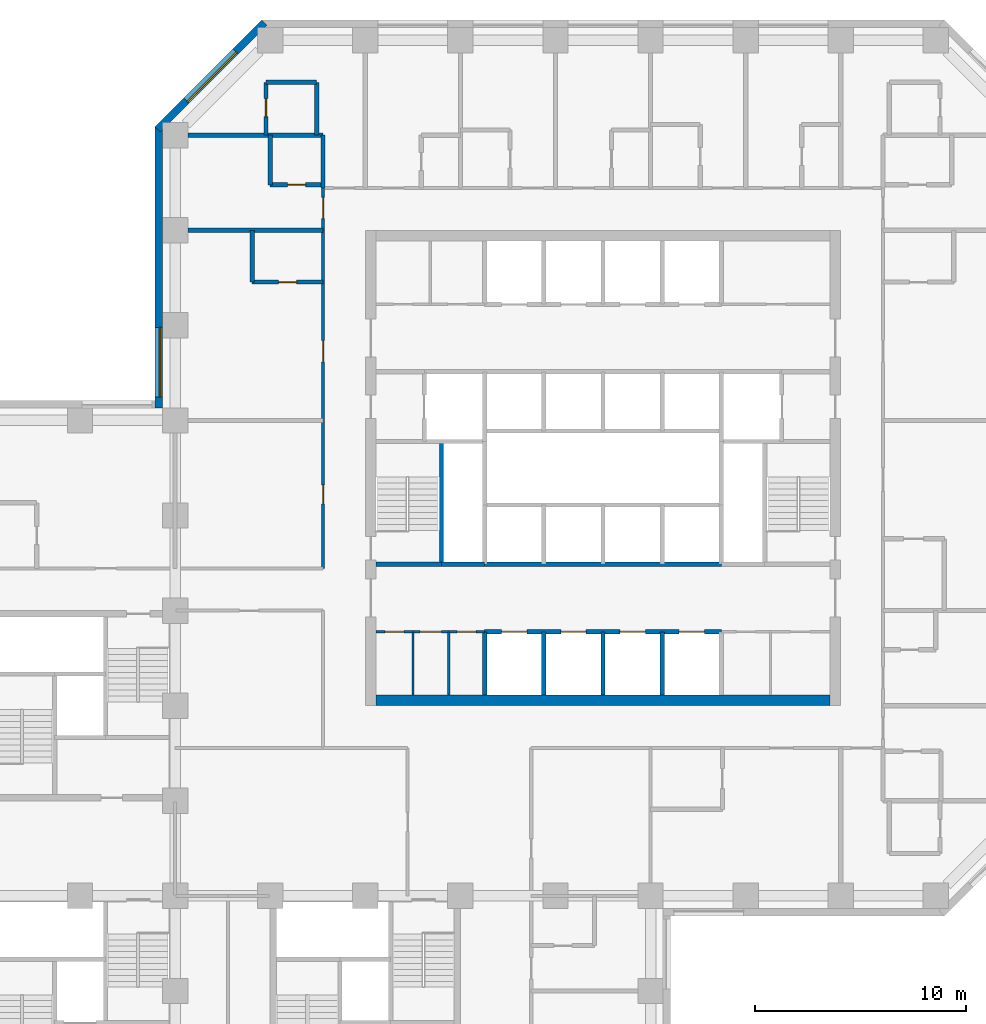
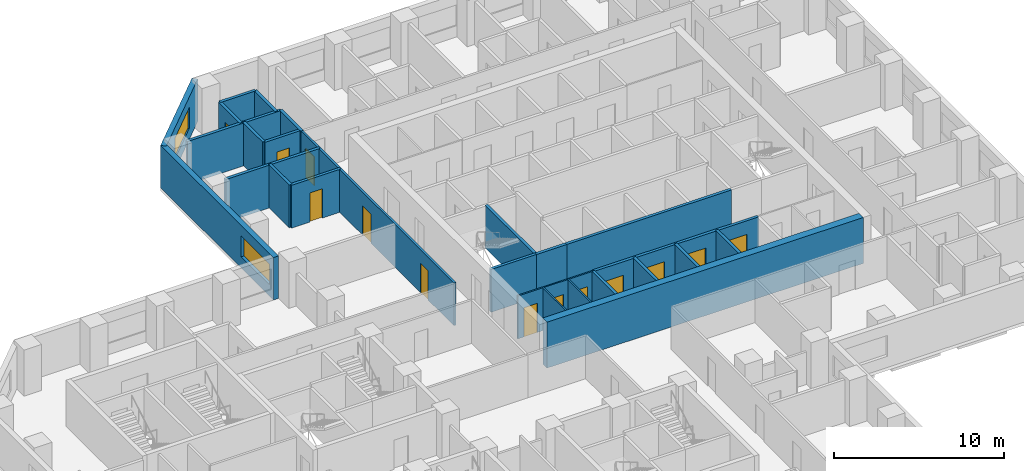
# One storey, part 7 of 12: 26 walls, 13 doors, 2 windows, 15 openings.
"""IFC4 building model written with IfcOpenShell, lengths in metres."""

from ifc_helpers import new_model, si_unit, direction, frame, frame_2d, origin, place, context, subcontext, project, spatial, rectangle, extrude, material, layer, layer_set, constituent, constituent_set, type_object, element, fill, save


model = new_model("IFC4")

# Units and contexts
model_context = context("Model", 3, precision=1e-05, world=origin(), true_north=direction((0.0, 1.0)))
body_context = subcontext(model_context, "Body", "Model", "MODEL_VIEW")
ifc_project = project(units=[si_unit("LENGTHUNIT", "METRE"), si_unit("AREAUNIT", "SQUARE_METRE"), si_unit("VOLUMEUNIT", "CUBIC_METRE"), si_unit("PLANEANGLEUNIT", "RADIAN"), si_unit("MASSUNIT", "GRAM", prefix="KILO")], contexts=[model_context])

# Site, building, storey
site_placement = place(None, origin())
site = spatial("IfcSite", under=ifc_project, at=site_placement, CompositionType="ELEMENT")
building_placement = place(site_placement, origin())
building = spatial("IfcBuilding", under=site, at=building_placement, Name="Quoin Convention Tower", CompositionType="ELEMENT")
storey_placement = place(building_placement, frame((0.0, 0.0, 56.10009765625)))
storey = spatial("IfcBuildingStorey", under=building, at=storey_placement, Name="L14", CompositionType="ELEMENT", Elevation=56.10009765625)

# Wall, opening, window
ifc_material_1 = material(Name="Brick masonry", Category="masonry")
ifc_layer_1 = layer(ifc_material_1, 0.35009765625)
ifc_layer_set_1 = layer_set([ifc_layer_1], Name="Brick masonry")
wall_type_1 = type_object("IfcWallType", Name="Brick facade wall", PredefinedType="STANDARD", material=ifc_layer_set_1)
wall_1_placement = place(storey_placement, frame((40.230224609375, 81.826416015625, 0.0), z_axis=(0.0, 0.0, 1.0), x_axis=(-0.707106781187, -0.707106781187, 0.0)))
wall_1 = element("IfcWall", 1, at=wall_1_placement, inside=storey, type_object=wall_type_1, Name="fw-L14-40500_81000", PredefinedType="STANDARD", context=body_context, shape_type="SweptSolid", body=[
    extrude(rectangle(XDim=7.151123046875, YDim=0.35009765625, at=frame_2d((3.57568359375, 0.0))), origin(), (0.0, 0.0, 1.0), 3.054931640625),
])
opening_1_placement = place(wall_1_placement, frame((1.925537109375, 0.0, 0.800048828125)))
opening_1 = element("IfcOpeningElement", 2, at=opening_1_placement, cuts=wall_1, Name="Opening W-01", PredefinedType="OPENING", context=body_context, shape_type="SweptSolid", body=[
    extrude(rectangle(XDim=3.300048828125, YDim=1.5, at=frame_2d((1.64990234375, 0.75))), frame((0.0, 0.18505859375, 0.0), z_axis=(0.0, -1.0, 0.0), x_axis=(1.0, 0.0, 0.0)), (0.0, 0.0, 1.0), 0.3701171875),
])
ifc_material_2 = material(Name="Aluminium", Category="aluminium")
ifc_constituent_1 = constituent(ifc_material_2, Name="Frame")
ifc_material_3 = material(Name="Insulated glass", Category="glass")
ifc_constituent_2 = constituent(ifc_material_3, Name="Glazing")
ifc_constituent_set = constituent_set(constituents=[ifc_constituent_1, ifc_constituent_2], Name="Aluminium")
window_type = type_object("IfcWindowType", Name="Hotel strip window", PartitioningType="DOUBLE_PANEL_VERTICAL", PredefinedType="WINDOW", material=ifc_constituent_set)
window_1_placement = place(opening_1_placement, origin())
window_1 = element("IfcWindow", 3, at=window_1_placement, inside=storey, type_object=window_type, Name="win-L14-37702_79298", OverallHeight=1.5, OverallWidth=3.300048828125, PartitioningType="SINGLE_PANEL", PredefinedType="WINDOW", context=body_context, shape_type="SweptSolid", body=[
    extrude(rectangle(XDim=3.300048828125, YDim=1.5, at=frame_2d((1.64990234375, 0.75))), frame((0.0, 0.0849609375, 0.0), z_axis=(0.0, -1.0, 0.0), x_axis=(1.0, 0.0, 0.0)), (0.0, 0.0, 1.0), 0.06005859375),
])
fill(opening_1, window_1)

wall_2_placement = place(storey_placement, frame((35.22509765625, 76.8935546875, 0.0), z_axis=(0.0, 0.0, 1.0), x_axis=(0.0, -1.0, 0.0)))
wall_2 = element("IfcWall", 4, at=wall_2_placement, inside=storey, type_object=wall_type_1, Name="fw-L14-36000_76500", PredefinedType="STANDARD", context=body_context, shape_type="SweptSolid", body=[
    extrude(rectangle(XDim=13.29345703125, YDim=0.35009765625, at=frame_2d((6.646728515625, 0.0))), origin(), (0.0, 0.0, 1.0), 3.054931640625),
])
opening_2_placement = place(wall_2_placement, frame((9.493408203125, 0.0, 0.800048828125)))
opening_2 = element("IfcOpeningElement", 5, at=opening_2_placement, cuts=wall_2, Name="Opening W-01", PredefinedType="OPENING", context=body_context, shape_type="SweptSolid", body=[
    extrude(rectangle(XDim=3.300048828125, YDim=1.5, at=frame_2d((1.64990234375, 0.75))), frame((0.0, 0.18505859375, 0.0), z_axis=(0.0, -1.0, 0.0), x_axis=(1.0, 0.0, 0.0)), (0.0, 0.0, 1.0), 0.3701171875),
])
window_2_placement = place(opening_2_placement, origin())
window_2 = element("IfcWindow", 6, at=window_2_placement, inside=storey, type_object=window_type, Name="win-L14-35225_65250", OverallHeight=1.5, OverallWidth=3.300048828125, PartitioningType="SINGLE_PANEL", PredefinedType="WINDOW", context=body_context, shape_type="SweptSolid", body=[
    extrude(rectangle(XDim=3.300048828125, YDim=1.5, at=frame_2d((1.64990234375, 0.75))), frame((0.0, 0.0849609375, 0.0), z_axis=(0.0, -1.0, 0.0), x_axis=(1.0, 0.0, 0.0)), (0.0, 0.0, 1.0), 0.06005859375),
])
fill(opening_2, window_2)

# Wall, openings, doors
ifc_material_4 = material(Name="Plasterboard")
ifc_layer_2 = layer(ifc_material_4, 0.012451171875, Name="Finish")
ifc_material_5 = material(Name="Steel stud framing", Category="steel")
ifc_layer_3 = layer(ifc_material_5, 0.074951171875, Name="Structure")
ifc_layer_4 = layer(ifc_material_4, 0.012451171875, Name="Finish")
ifc_layer_set_2 = layer_set([ifc_layer_2, ifc_layer_3, ifc_layer_4], Name="Steel stud framing")
wall_type_2 = type_object("IfcWallType", Name="Core partition wall", PredefinedType="PARTITIONING", material=ifc_layer_set_2)
wall_3_placement = place(storey_placement, frame((45.5, 53.0, 0.0), z_axis=(0.0, 0.0, 1.0), x_axis=(1.0, 0.0, 0.0)))
wall_3 = element("IfcWall", 7, at=wall_3_placement, inside=storey, type_object=wall_type_2, Name="cr-C1-L14-h3500_500", PredefinedType="PARTITIONING", context=body_context, shape_type="SweptSolid", body=[
    extrude(rectangle(XDim=5.14990234375, YDim=0.10009765625, at=frame_2d((2.574951171875, 0.0))), origin(), (0.0, 0.0, 1.0), 3.079833984375),
])
opening_3_placement = place(wall_3_placement, frame((0.425537109375, 0.0, 0.0)))
opening_3 = element("IfcOpeningElement", 8, at=opening_3_placement, cuts=wall_3, Name="Opening DCV5-44", PredefinedType="OPENING", context=body_context, shape_type="SweptSolid", body=[
    extrude(rectangle(XDim=0.89990234375, YDim=2.10009765625, at=frame_2d((0.449951171875, 1.050048828125))), frame((0.0, 0.06005859375, 0.0), z_axis=(0.0, -1.0, 0.0), x_axis=(1.0, 0.0, 0.0)), (0.0, 0.0, 1.0), 0.1201171875),
])
opening_4_placement = place(wall_3_placement, frame((2.1005859375, 0.0, 0.0)))
opening_4 = element("IfcOpeningElement", 9, at=opening_4_placement, cuts=wall_3, Name="Opening DCV5-45", PredefinedType="OPENING", context=body_context, shape_type="SweptSolid", body=[
    extrude(rectangle(XDim=1.0, YDim=2.10009765625, at=frame_2d((0.5, 1.050048828125))), frame((0.0, 0.06005859375, 0.0), z_axis=(0.0, -1.0, 0.0), x_axis=(1.0, 0.0, 0.0)), (0.0, 0.0, 1.0), 0.1201171875),
])
opening_5_placement = place(wall_3_placement, frame((3.85009765625, 0.0, 0.0)))
opening_5 = element("IfcOpeningElement", 10, at=opening_5_placement, cuts=wall_3, Name="Opening DCV5-46", PredefinedType="OPENING", context=body_context, shape_type="SweptSolid", body=[
    extrude(rectangle(XDim=0.89990234375, YDim=2.10009765625, at=frame_2d((0.449951171875, 1.050048828125))), frame((0.0, 0.06005859375, 0.0), z_axis=(0.0, -1.0, 0.0), x_axis=(1.0, 0.0, 0.0)), (0.0, 0.0, 1.0), 0.1201171875),
])
ifc_material_6 = material(Name="Steel door leaf", Category="steel")
door_type_1 = type_object("IfcDoorType", Name="Core room door 1000 x 2100", OperationType="SINGLE_SWING_LEFT", PredefinedType="DOOR", material=ifc_material_6)
door_1_placement = place(opening_4_placement, frame((1.0, 0.0, 0.0), z_axis=(0.0, 0.0, 1.0), x_axis=(-1.0, 0.0, 0.0)))
door_1 = element("IfcDoor", 11, at=door_1_placement, inside=storey, type_object=door_type_1, Name="cd-C1-L14-CSW1-lobA-CD1413", OperationType="SINGLE_SWING_LEFT", OverallHeight=2.10009765625, OverallWidth=1.0, PredefinedType="DOOR", context=body_context, shape_type="SweptSolid", body=[
    extrude(rectangle(XDim=1.0, YDim=2.10009765625, at=frame_2d((0.5, 1.050048828125))), frame((0.0, 0.02490234375, 0.0), z_axis=(0.0, -1.0, 0.0), x_axis=(1.0, 0.0, 0.0)), (0.0, 0.0, 1.0), 0.050048828125),
])
fill(opening_4, door_1)
door_type_2 = type_object("IfcDoorType", Name="Core room door 900 x 2100", OperationType="SINGLE_SWING_LEFT", PredefinedType="DOOR", material=ifc_material_6)
door_2_placement = place(opening_3_placement, frame((0.89990234375, 0.0, 0.0), z_axis=(0.0, 0.0, 1.0), x_axis=(-1.0, 0.0, 0.0)))
door_2 = element("IfcDoor", 12, at=door_2_placement, inside=storey, type_object=door_type_2, Name="cd-C1-L14-CSW0-lobA-CD1412", OperationType="SINGLE_SWING_LEFT", OverallHeight=2.10009765625, OverallWidth=0.89990234375, PredefinedType="DOOR", context=body_context, shape_type="SweptSolid", body=[
    extrude(rectangle(XDim=0.89990234375, YDim=2.10009765625, at=frame_2d((0.449951171875, 1.050048828125))), frame((0.0, 0.02490234375, 0.0), z_axis=(0.0, -1.0, 0.0), x_axis=(1.0, 0.0, 0.0)), (0.0, 0.0, 1.0), 0.050048828125),
])
fill(opening_3, door_2)
door_3_placement = place(opening_5_placement, frame((0.89990234375, 0.0, 0.0), z_axis=(0.0, 0.0, 1.0), x_axis=(-1.0, 0.0, 0.0)))
door_3 = element("IfcDoor", 13, at=door_3_placement, inside=storey, type_object=door_type_2, Name="cd-C1-L14-CSW2-lobA-CD1414", OperationType="SINGLE_SWING_LEFT", OverallHeight=2.10009765625, OverallWidth=0.89990234375, PredefinedType="DOOR", context=body_context, shape_type="SweptSolid", body=[
    extrude(rectangle(XDim=0.89990234375, YDim=2.10009765625, at=frame_2d((0.449951171875, 1.050048828125))), frame((0.0, 0.02490234375, 0.0), z_axis=(0.0, -1.0, 0.0), x_axis=(1.0, 0.0, 0.0)), (0.0, 0.0, 1.0), 0.050048828125),
])
fill(opening_5, door_3)

# Walls
for number, where, z_axis, x_axis, name in (
    (14, (47.2509765625, 50.0, 0.0), (0.0, 0.0, 1.0), (0.0, 1.0, 0.0), "cr-C1-L14-v2251_500"),
    (15, (48.950439453125, 50.0, 0.0), (0.0, 0.0, 1.0), (0.0, 1.0, 0.0), "cr-C1-L14-v3950_500"),
):
    element("IfcWall", number, at=place(storey_placement, frame(where, z_axis=z_axis, x_axis=x_axis)), inside=storey, type_object=wall_type_2, Name=name, PredefinedType="PARTITIONING", context=body_context, shape_type="SweptSolid", body=[
        extrude(rectangle(XDim=3.0, YDim=0.10009765625, at=frame_2d((1.5, 0.0))), origin(), (0.0, 0.0, 1.0), 3.079833984375),
    ])

# Wall, openings, doors
ifc_material_7 = material(Name="Concrete C50", Category="concrete")
ifc_layer_5 = layer(ifc_material_7, 0.199951171875)
ifc_layer_set_3 = layer_set([ifc_layer_5], Name="Concrete C50")
wall_type_3 = type_object("IfcWallType", Name="Core shaft wall", PredefinedType="SOLIDWALL", material=ifc_layer_set_3)
wall_4_placement = place(storey_placement, frame((50.64990234375, 53.0, 0.0), z_axis=(0.0, 0.0, 1.0), x_axis=(1.0, 0.0, 0.0)))
wall_4 = element("IfcWall", 16, at=wall_4_placement, inside=storey, type_object=wall_type_3, Name="cr-C1-L14-h3500_5650", PredefinedType="SOLIDWALL", context=body_context, shape_type="SweptSolid", body=[
    extrude(rectangle(XDim=11.2001953125, YDim=0.199951171875, at=frame_2d((5.60009765625, 0.0))), origin(), (0.0, 0.0, 1.0), 3.079833984375),
])
opening_6_placement = place(wall_4_placement, frame((0.800048828125, 0.0, 0.0)))
opening_6 = element("IfcOpeningElement", 17, at=opening_6_placement, cuts=wall_4, Name="Opening LDL1", PredefinedType="OPENING", context=body_context, shape_type="SweptSolid", body=[
    extrude(rectangle(XDim=1.199951171875, YDim=2.10009765625, at=frame_2d((0.60009765625, 1.050048828125))), frame((0.0, 0.10986328125, 0.0), z_axis=(0.0, -1.0, 0.0), x_axis=(1.0, 0.0, 0.0)), (0.0, 0.0, 1.0), 0.219970703125),
])
opening_7_placement = place(wall_4_placement, frame((3.60009765625, 0.0, 0.0)))
opening_7 = element("IfcOpeningElement", 18, at=opening_7_placement, cuts=wall_4, Name="Opening LDL2", PredefinedType="OPENING", context=body_context, shape_type="SweptSolid", body=[
    extrude(rectangle(XDim=1.199951171875, YDim=2.10009765625, at=frame_2d((0.60009765625, 1.050048828125))), frame((0.0, 0.10986328125, 0.0), z_axis=(0.0, -1.0, 0.0), x_axis=(1.0, 0.0, 0.0)), (0.0, 0.0, 1.0), 0.219970703125),
])
opening_8_placement = place(wall_4_placement, frame((6.39990234375, 0.0, 0.0)))
opening_8 = element("IfcOpeningElement", 19, at=opening_8_placement, cuts=wall_4, Name="Opening LDL3", PredefinedType="OPENING", context=body_context, shape_type="SweptSolid", body=[
    extrude(rectangle(XDim=1.199951171875, YDim=2.10009765625, at=frame_2d((0.60009765625, 1.050048828125))), frame((0.0, 0.10986328125, 0.0), z_axis=(0.0, -1.0, 0.0), x_axis=(1.0, 0.0, 0.0)), (0.0, 0.0, 1.0), 0.219970703125),
])
opening_9_placement = place(wall_4_placement, frame((9.199951171875, 0.0, 0.0)))
opening_9 = element("IfcOpeningElement", 20, at=opening_9_placement, cuts=wall_4, Name="Opening LDL4", PredefinedType="OPENING", context=body_context, shape_type="SweptSolid", body=[
    extrude(rectangle(XDim=1.199951171875, YDim=2.10009765625, at=frame_2d((0.60009765625, 1.050048828125))), frame((0.0, 0.10986328125, 0.0), z_axis=(0.0, -1.0, 0.0), x_axis=(1.0, 0.0, 0.0)), (0.0, 0.0, 1.0), 0.219970703125),
])
door_type_3 = type_object("IfcDoorType", Name="Lift landing door 1200 x 2100", OperationType="DOUBLE_DOOR_SLIDING", PredefinedType="DOOR", material=ifc_material_6)
door_4_placement = place(opening_6_placement, origin())
door_4 = element("IfcDoor", 21, at=door_4_placement, inside=storey, type_object=door_type_3, Name="cd-C1-L14-R10-lobA-LDL1", OperationType="DOUBLE_DOOR_SLIDING", OverallHeight=2.10009765625, OverallWidth=1.199951171875, PredefinedType="DOOR", context=body_context, shape_type="SweptSolid", body=[
    extrude(rectangle(XDim=1.199951171875, YDim=2.10009765625, at=frame_2d((0.60009765625, 1.050048828125))), frame((0.0, 0.02490234375, 0.0), z_axis=(0.0, -1.0, 0.0), x_axis=(1.0, 0.0, 0.0)), (0.0, 0.0, 1.0), 0.050048828125),
])
fill(opening_6, door_4)
door_5_placement = place(opening_7_placement, origin())
door_5 = element("IfcDoor", 22, at=door_5_placement, inside=storey, type_object=door_type_3, Name="cd-C1-L14-R11-lobA-LDL2", OperationType="DOUBLE_DOOR_SLIDING", OverallHeight=2.10009765625, OverallWidth=1.199951171875, PredefinedType="DOOR", context=body_context, shape_type="SweptSolid", body=[
    extrude(rectangle(XDim=1.199951171875, YDim=2.10009765625, at=frame_2d((0.60009765625, 1.050048828125))), frame((0.0, 0.02490234375, 0.0), z_axis=(0.0, -1.0, 0.0), x_axis=(1.0, 0.0, 0.0)), (0.0, 0.0, 1.0), 0.050048828125),
])
fill(opening_7, door_5)
door_6_placement = place(opening_8_placement, origin())
door_6 = element("IfcDoor", 23, at=door_6_placement, inside=storey, type_object=door_type_3, Name="cd-C1-L14-R12-lobA-LDL3", OperationType="DOUBLE_DOOR_SLIDING", OverallHeight=2.10009765625, OverallWidth=1.199951171875, PredefinedType="DOOR", context=body_context, shape_type="SweptSolid", body=[
    extrude(rectangle(XDim=1.199951171875, YDim=2.10009765625, at=frame_2d((0.60009765625, 1.050048828125))), frame((0.0, 0.02490234375, 0.0), z_axis=(0.0, -1.0, 0.0), x_axis=(1.0, 0.0, 0.0)), (0.0, 0.0, 1.0), 0.050048828125),
])
fill(opening_8, door_6)
door_7_placement = place(opening_9_placement, origin())
door_7 = element("IfcDoor", 24, at=door_7_placement, inside=storey, type_object=door_type_3, Name="cd-C1-L14-R13-lobA-LDL4", OperationType="DOUBLE_DOOR_SLIDING", OverallHeight=2.10009765625, OverallWidth=1.199951171875, PredefinedType="DOOR", context=body_context, shape_type="SweptSolid", body=[
    extrude(rectangle(XDim=1.199951171875, YDim=2.10009765625, at=frame_2d((0.60009765625, 1.050048828125))), frame((0.0, 0.02490234375, 0.0), z_axis=(0.0, -1.0, 0.0), x_axis=(1.0, 0.0, 0.0)), (0.0, 0.0, 1.0), 0.050048828125),
])
fill(opening_9, door_7)

# Walls
wall_5_placement = place(storey_placement, frame((48.60009765625, 56.199951171875, 0.0), z_axis=(0.0, 0.0, 1.0), x_axis=(1.0, 0.0, 0.0)))
element("IfcWall", 25, at=wall_5_placement, inside=storey, type_object=wall_type_3, Name="cr-C1-L14-h6700_3600", PredefinedType="SOLIDWALL", context=body_context, shape_type="SweptSolid", body=[
    extrude(rectangle(XDim=2.0498046875, YDim=0.199951171875, at=frame_2d((1.02490234375, 0.0))), origin(), (0.0, 0.0, 1.0), 3.079833984375),
])
wall_6_placement = place(storey_placement, frame((45.5, 56.199951171875, 0.0), z_axis=(0.0, 0.0, 1.0), x_axis=(1.0, 0.0, 0.0)))
element("IfcWall", 26, at=wall_6_placement, inside=storey, type_object=wall_type_3, Name="cr-C1-L14-h6700_500", PredefinedType="SOLIDWALL", context=body_context, shape_type="SweptSolid", body=[
    extrude(rectangle(XDim=3.10009765625, YDim=0.199951171875, at=frame_2d((1.550048828125, 0.0))), origin(), (0.0, 0.0, 1.0), 3.079833984375),
])
wall_7_placement = place(storey_placement, frame((50.64990234375, 56.199951171875, 0.0), z_axis=(0.0, 0.0, 1.0), x_axis=(1.0, 0.0, 0.0)))
element("IfcWall", 27, at=wall_7_placement, inside=storey, type_object=wall_type_3, Name="cr-C1-L14-h6700_5650", PredefinedType="SOLIDWALL", context=body_context, shape_type="SweptSolid", body=[
    extrude(rectangle(XDim=11.2001953125, YDim=0.199951171875, at=frame_2d((5.60009765625, 0.0))), origin(), (0.0, 0.0, 1.0), 3.079833984375),
])
wall_8_placement = place(storey_placement, frame((48.60009765625, 56.199951171875, 0.0), z_axis=(0.0, 0.0, 1.0), x_axis=(0.0, 1.0, 0.0)))
element("IfcWall", 28, at=wall_8_placement, inside=storey, type_object=wall_type_3, Name="cr-C1-L14-v3600_6700", PredefinedType="SOLIDWALL", context=body_context, shape_type="SweptSolid", body=[
    extrude(rectangle(XDim=5.800048828125, YDim=0.199951171875, at=frame_2d((2.89990234375, 0.0))), origin(), (0.0, 0.0, 1.0), 3.079833984375),
])
for number, where, z_axis, x_axis, name in (
    (29, (50.64990234375, 50.0, 0.0), (0.0, 0.0, 1.0), (0.0, 1.0, 0.0), "cr-C1-L14-v5650_500"),
    (30, (53.449951171875, 50.0, 0.0), (0.0, 0.0, 1.0), (0.0, 1.0, 0.0), "cr-C1-L14-v8450_500"),
    (31, (56.25, 50.0, 0.0), (0.0, 0.0, 1.0), (0.0, 1.0, 0.0), "cr-C1-L14-v11250_500"),
    (32, (59.050048828125, 50.0, 0.0), (0.0, 0.0, 1.0), (0.0, 1.0, 0.0), "cr-C1-L14-v14050_500"),
):
    element("IfcWall", number, at=place(storey_placement, frame(where, z_axis=z_axis, x_axis=x_axis)), inside=storey, type_object=wall_type_3, Name=name, PredefinedType="SOLIDWALL", context=body_context, shape_type="SweptSolid", body=[
        extrude(rectangle(XDim=3.0, YDim=0.199951171875, at=frame_2d((1.5, 0.0))), origin(), (0.0, 0.0, 1.0), 3.079833984375),
    ])
ifc_material_8 = material(Name="Concrete C80", Category="concrete")
ifc_layer_6 = layer(ifc_material_8, 0.5)
ifc_layer_set_4 = layer_set([ifc_layer_6], Name="Concrete C80")
wall_type_4 = type_object("IfcWallType", Name="RC CORE WALL 500 C80", PredefinedType="SHEAR", material=ifc_layer_set_4)
wall_9_placement = place(storey_placement, frame((45.5, 49.75, 0.0), z_axis=(0.0, 0.0, 1.0), x_axis=(1.0, 0.0, 0.0)))
element("IfcWall", 33, at=wall_9_placement, inside=storey, type_object=wall_type_4, Name="cwl-C1-L14-S", PredefinedType="SHEAR", context=body_context, shape_type="SweptSolid", body=[
    extrude(rectangle(XDim=21.5, YDim=0.5, at=frame_2d((10.75, 0.0))), origin(), (0.0, 0.0, 1.0), 3.2998046875),
])

# Wall, opening, door
ifc_layer_7 = layer(ifc_material_7, 0.199951171875)
ifc_layer_set_5 = layer_set([ifc_layer_7], Name="Concrete C50")
wall_type_5 = type_object("IfcWallType", Name="RC party wall", PredefinedType="SOLIDWALL", material=ifc_layer_set_5)
wall_10_placement = place(storey_placement, frame((39.64990234375, 69.550048828125, 0.0), z_axis=(0.0, 0.0, 1.0), x_axis=(1.0, 0.0, 0.0)))
wall_10 = element("IfcWall", 34, at=wall_10_placement, inside=storey, type_object=wall_type_5, Name="pw-L14-114", PredefinedType="SOLIDWALL", context=body_context, shape_type="SweptSolid", body=[
    extrude(rectangle(XDim=3.35009765625, YDim=0.199951171875, at=frame_2d((1.675048828125, 0.0))), origin(), (0.0, 0.0, 1.0), 3.079833984375),
])
opening_10_placement = place(wall_10_placement, frame((1.25, 0.0, 0.0)))
opening_10 = element("IfcOpeningElement", 35, at=opening_10_placement, cuts=wall_10, Name="Opening DHOTEL-C-63", PredefinedType="OPENING", context=body_context, shape_type="SweptSolid", body=[
    extrude(rectangle(XDim=0.85009765625, YDim=2.10009765625, at=frame_2d((0.425048828125, 1.050048828125))), frame((0.0, 0.10986328125, 0.0), z_axis=(0.0, -1.0, 0.0), x_axis=(1.0, 0.0, 0.0)), (0.0, 0.0, 1.0), 0.219970703125),
])
door_type_4 = type_object("IfcDoorType", Name="Bathroom door", OperationType="SINGLE_SWING_LEFT", PredefinedType="DOOR", material=ifc_material_6)
door_8_placement = place(opening_10_placement, frame((0.85009765625, 0.0, 0.0), z_axis=(0.0, 0.0, 1.0), x_axis=(-1.0, 0.0, 0.0)))
door_8 = element("IfcDoor", 36, at=door_8_placement, inside=storey, type_object=door_type_4, Name="dr-L14-034", OperationType="SINGLE_SWING_LEFT", OverallHeight=2.10009765625, OverallWidth=0.85009765625, PredefinedType="DOOR", context=body_context, shape_type="SweptSolid", body=[
    extrude(rectangle(XDim=0.85009765625, YDim=2.10009765625, at=frame_2d((0.425048828125, 1.050048828125))), frame((0.0, 0.02490234375, 0.0), z_axis=(0.0, -1.0, 0.0), x_axis=(1.0, 0.0, 0.0)), (0.0, 0.0, 1.0), 0.050048828125),
])
fill(opening_10, door_8)

# Walls
wall_11_placement = place(storey_placement, frame((39.64990234375, 69.550048828125, 0.0), z_axis=(0.0, 0.0, 1.0), x_axis=(0.0, 1.0, 0.0)))
element("IfcWall", 37, at=wall_11_placement, inside=storey, type_object=wall_type_5, Name="pw-L14-115", PredefinedType="SOLIDWALL", context=body_context, shape_type="SweptSolid", body=[
    extrude(rectangle(XDim=2.449951171875, YDim=0.199951171875, at=frame_2d((1.22509765625, 0.0))), origin(), (0.0, 0.0, 1.0), 3.079833984375),
])
wall_12_placement = place(storey_placement, frame((36.60009765625, 72.0, 0.0), z_axis=(0.0, 0.0, 1.0), x_axis=(1.0, 0.0, 0.0)))
element("IfcWall", 38, at=wall_12_placement, inside=storey, type_object=wall_type_5, Name="pw-L14-118", PredefinedType="SOLIDWALL", context=body_context, shape_type="SweptSolid", body=[
    extrude(rectangle(XDim=6.39990234375, YDim=0.199951171875, at=frame_2d((3.199951171875, 0.0))), origin(), (0.0, 0.0, 1.0), 3.079833984375),
])
wall_13_placement = place(storey_placement, frame((43.0, 74.0, 0.0), z_axis=(0.0, 0.0, 1.0), x_axis=(0.0, 1.0, 0.0)))
element("IfcWall", 39, at=wall_13_placement, inside=storey, type_object=wall_type_5, Name="pw-L14-120", PredefinedType="SOLIDWALL", context=body_context, shape_type="SweptSolid", body=[
    extrude(rectangle(XDim=2.5, YDim=0.199951171875, at=frame_2d((1.25, 0.0))), origin(), (0.0, 0.0, 1.0), 3.079833984375),
])

# Wall, opening, door
wall_14_placement = place(storey_placement, frame((40.5, 74.14990234375, 0.0), z_axis=(0.0, 0.0, 1.0), x_axis=(1.0, 0.0, 0.0)))
wall_14 = element("IfcWall", 40, at=wall_14_placement, inside=storey, type_object=wall_type_5, Name="pw-L14-133", PredefinedType="SOLIDWALL", context=body_context, shape_type="SweptSolid", body=[
    extrude(rectangle(XDim=2.5, YDim=0.199951171875, at=frame_2d((1.25, 0.0))), origin(), (0.0, 0.0, 1.0), 3.079833984375),
])
opening_11_placement = place(wall_14_placement, frame((0.824951171875, 0.0, 0.0)))
opening_11 = element("IfcOpeningElement", 41, at=opening_11_placement, cuts=wall_14, Name="Opening DHOTEL-C-70", PredefinedType="OPENING", context=body_context, shape_type="SweptSolid", body=[
    extrude(rectangle(XDim=0.85009765625, YDim=2.10009765625, at=frame_2d((0.425048828125, 1.050048828125))), frame((0.0, 0.10986328125, 0.0), z_axis=(0.0, -1.0, 0.0), x_axis=(1.0, 0.0, 0.0)), (0.0, 0.0, 1.0), 0.219970703125),
])
door_9_placement = place(opening_11_placement, origin())
door_9 = element("IfcDoor", 42, at=door_9_placement, inside=storey, type_object=door_type_4, Name="dr-L14-036", OperationType="SINGLE_SWING_RIGHT", OverallHeight=2.10009765625, OverallWidth=0.85009765625, PredefinedType="DOOR", context=body_context, shape_type="SweptSolid", body=[
    extrude(rectangle(XDim=0.85009765625, YDim=2.10009765625, at=frame_2d((0.425048828125, 1.050048828125))), frame((0.0, 0.02490234375, 0.0), z_axis=(0.0, -1.0, 0.0), x_axis=(1.0, 0.0, 0.0)), (0.0, 0.0, 1.0), 0.050048828125),
])
fill(opening_11, door_9)

# Walls
wall_15_placement = place(storey_placement, frame((40.5, 74.14990234375, 0.0), z_axis=(0.0, 0.0, 1.0), x_axis=(0.0, 1.0, 0.0)))
element("IfcWall", 43, at=wall_15_placement, inside=storey, type_object=wall_type_5, Name="pw-L14-134", PredefinedType="SOLIDWALL", context=body_context, shape_type="SweptSolid", body=[
    extrude(rectangle(XDim=2.35009765625, YDim=0.199951171875, at=frame_2d((1.175048828125, 0.0))), origin(), (0.0, 0.0, 1.0), 3.079833984375),
])
wall_16_placement = place(storey_placement, frame((36.60009765625, 76.5, 0.0), z_axis=(0.0, 0.0, 1.0), x_axis=(1.0, 0.0, 0.0)))
element("IfcWall", 44, at=wall_16_placement, inside=storey, type_object=wall_type_5, Name="pw-L14-137", PredefinedType="SOLIDWALL", context=body_context, shape_type="SweptSolid", body=[
    extrude(rectangle(XDim=6.39990234375, YDim=0.199951171875, at=frame_2d((3.199951171875, 0.0))), origin(), (0.0, 0.0, 1.0), 3.079833984375),
])

# Wall, opening, door
wall_17_placement = place(storey_placement, frame((40.300048828125, 76.5, 0.0), z_axis=(0.0, 0.0, 1.0), x_axis=(0.0, 1.0, 0.0)))
wall_17 = element("IfcWall", 45, at=wall_17_placement, inside=storey, type_object=wall_type_5, Name="pw-L14-138", PredefinedType="SOLIDWALL", context=body_context, shape_type="SweptSolid", body=[
    extrude(rectangle(XDim=2.5, YDim=0.199951171875, at=frame_2d((1.25, 0.0))), origin(), (0.0, 0.0, 1.0), 3.079833984375),
])
opening_12_placement = place(wall_17_placement, frame((0.875, 0.0, 0.0)))
opening_12 = element("IfcOpeningElement", 46, at=opening_12_placement, cuts=wall_17, Name="Opening DHOTEL-C-72", PredefinedType="OPENING", context=body_context, shape_type="SweptSolid", body=[
    extrude(rectangle(XDim=0.85009765625, YDim=2.10009765625, at=frame_2d((0.425048828125, 1.050048828125))), frame((0.0, 0.10986328125, 0.0), z_axis=(0.0, -1.0, 0.0), x_axis=(1.0, 0.0, 0.0)), (0.0, 0.0, 1.0), 0.219970703125),
])
door_10_placement = place(opening_12_placement, origin())
door_10 = element("IfcDoor", 47, at=door_10_placement, inside=storey, type_object=door_type_4, Name="dr-L14-066", OperationType="SINGLE_SWING_RIGHT", OverallHeight=2.10009765625, OverallWidth=0.85009765625, PredefinedType="DOOR", context=body_context, shape_type="SweptSolid", body=[
    extrude(rectangle(XDim=0.85009765625, YDim=2.10009765625, at=frame_2d((0.425048828125, 1.050048828125))), frame((0.0, 0.02490234375, 0.0), z_axis=(0.0, -1.0, 0.0), x_axis=(1.0, 0.0, 0.0)), (0.0, 0.0, 1.0), 0.050048828125),
])
fill(opening_12, door_10)

# Walls
wall_18_placement = place(storey_placement, frame((42.699951171875, 76.5, 0.0), z_axis=(0.0, 0.0, 1.0), x_axis=(0.0, 1.0, 0.0)))
element("IfcWall", 48, at=wall_18_placement, inside=storey, type_object=wall_type_5, Name="pw-L14-139", PredefinedType="SOLIDWALL", context=body_context, shape_type="SweptSolid", body=[
    extrude(rectangle(XDim=2.5, YDim=0.199951171875, at=frame_2d((1.25, 0.0))), origin(), (0.0, 0.0, 1.0), 3.079833984375),
])
wall_19_placement = place(storey_placement, frame((40.300048828125, 79.0, 0.0), z_axis=(0.0, 0.0, 1.0), x_axis=(1.0, 0.0, 0.0)))
element("IfcWall", 49, at=wall_19_placement, inside=storey, type_object=wall_type_5, Name="pw-L14-148", PredefinedType="SOLIDWALL", context=body_context, shape_type="SweptSolid", body=[
    extrude(rectangle(XDim=2.39990234375, YDim=0.199951171875, at=frame_2d((1.199951171875, 0.0))), origin(), (0.0, 0.0, 1.0), 3.079833984375),
])

# Wall, openings, doors
ifc_layer_8 = layer(ifc_material_4, 0.012451171875, Name="Finish")
ifc_layer_9 = layer(ifc_material_5, 0.125, Name="Structure")
ifc_layer_10 = layer(ifc_material_4, 0.012451171875, Name="Finish")
ifc_layer_set_6 = layer_set([ifc_layer_8, ifc_layer_9, ifc_layer_10], Name="Steel stud framing")
wall_type_6 = type_object("IfcWallType", Name="corridor partition", PredefinedType="PARTITIONING", material=ifc_layer_set_6)
wall_20_placement = place(storey_placement, frame((43.0, 56.0, 0.0), z_axis=(0.0, 0.0, 1.0), x_axis=(0.0, 1.0, 0.0)))
wall_20 = element("IfcWall", 50, at=wall_20_placement, inside=storey, type_object=wall_type_6, Name="pw-L14-033", PredefinedType="PARTITIONING", context=body_context, shape_type="SweptSolid", body=[
    extrude(rectangle(XDim=18.0, YDim=0.14990234375, at=frame_2d((9.0, 0.0))), origin(), (0.0, 0.0, 1.0), 3.079833984375),
])
opening_13_placement = place(wall_20_placement, frame((9.77490234375, 0.0, 0.0)))
opening_13 = element("IfcOpeningElement", 51, at=opening_13_placement, cuts=wall_20, Name="Opening DHOTEL-C-33", PredefinedType="OPENING", context=body_context, shape_type="SweptSolid", body=[
    extrude(rectangle(XDim=1.0, YDim=2.10009765625, at=frame_2d((0.5, 1.050048828125))), frame((0.0, 0.0849609375, 0.0), z_axis=(0.0, -1.0, 0.0), x_axis=(1.0, 0.0, 0.0)), (0.0, 0.0, 1.0), 0.169921875),
])
opening_14_placement = place(wall_20_placement, frame((16.552978515625, 0.0, 0.0)))
opening_14 = element("IfcOpeningElement", 52, at=opening_14_placement, cuts=wall_20, Name="Opening DHOTEL-C-34", PredefinedType="OPENING", context=body_context, shape_type="SweptSolid", body=[
    extrude(rectangle(XDim=1.0, YDim=2.10009765625, at=frame_2d((0.5, 1.050048828125))), frame((0.0, 0.0849609375, 0.0), z_axis=(0.0, -1.0, 0.0), x_axis=(1.0, 0.0, 0.0)), (0.0, 0.0, 1.0), 0.169921875),
])
opening_15_placement = place(wall_20_placement, frame((3.050048828125, 0.0, 0.0)))
opening_15 = element("IfcOpeningElement", 53, at=opening_15_placement, cuts=wall_20, Name="Opening DHOTEL-C-32", PredefinedType="OPENING", context=body_context, shape_type="SweptSolid", body=[
    extrude(rectangle(XDim=0.89990234375, YDim=2.10009765625, at=frame_2d((0.449951171875, 1.050048828125))), frame((0.0, 0.0849609375, 0.0), z_axis=(0.0, -1.0, 0.0), x_axis=(1.0, 0.0, 0.0)), (0.0, 0.0, 1.0), 0.169921875),
])
door_type_5 = type_object("IfcDoorType", Name="Hotel room door", OperationType="SINGLE_SWING_LEFT", PredefinedType="DOOR", material=ifc_material_6)
door_11_placement = place(opening_13_placement, origin())
door_11 = element("IfcDoor", 54, at=door_11_placement, inside=storey, type_object=door_type_5, Name="dr-L14-033", OperationType="SINGLE_SWING_RIGHT", OverallHeight=2.10009765625, OverallWidth=1.0, PredefinedType="DOOR", context=body_context, shape_type="SweptSolid", body=[
    extrude(rectangle(XDim=1.0, YDim=2.10009765625, at=frame_2d((0.5, 1.050048828125))), frame((0.0, 0.02490234375, 0.0), z_axis=(0.0, -1.0, 0.0), x_axis=(1.0, 0.0, 0.0)), (0.0, 0.0, 1.0), 0.050048828125),
])
fill(opening_13, door_11)
door_12_placement = place(opening_14_placement, origin())
door_12 = element("IfcDoor", 55, at=door_12_placement, inside=storey, type_object=door_type_5, Name="dr-L14-035", OperationType="SINGLE_SWING_RIGHT", OverallHeight=2.10009765625, OverallWidth=1.0, PredefinedType="DOOR", context=body_context, shape_type="SweptSolid", body=[
    extrude(rectangle(XDim=1.0, YDim=2.10009765625, at=frame_2d((0.5, 1.050048828125))), frame((0.0, 0.02490234375, 0.0), z_axis=(0.0, -1.0, 0.0), x_axis=(1.0, 0.0, 0.0)), (0.0, 0.0, 1.0), 0.050048828125),
])
fill(opening_14, door_12)
door_type_6 = type_object("IfcDoorType", Name="Single room door", OperationType="SINGLE_SWING_RIGHT", PredefinedType="DOOR", material=ifc_material_6)
door_13_placement = place(opening_15_placement, origin())
door_13 = element("IfcDoor", 56, at=door_13_placement, inside=storey, type_object=door_type_6, Name="dr-L14-077", OperationType="SINGLE_SWING_RIGHT", OverallHeight=2.10009765625, OverallWidth=0.89990234375, PredefinedType="DOOR", context=body_context, shape_type="SweptSolid", body=[
    extrude(rectangle(XDim=0.89990234375, YDim=2.10009765625, at=frame_2d((0.449951171875, 1.050048828125))), frame((0.0, 0.02490234375, 0.0), z_axis=(0.0, -1.0, 0.0), x_axis=(1.0, 0.0, 0.0)), (0.0, 0.0, 1.0), 0.050048828125),
])
fill(opening_15, door_13)

save(model, "model.ifc")
